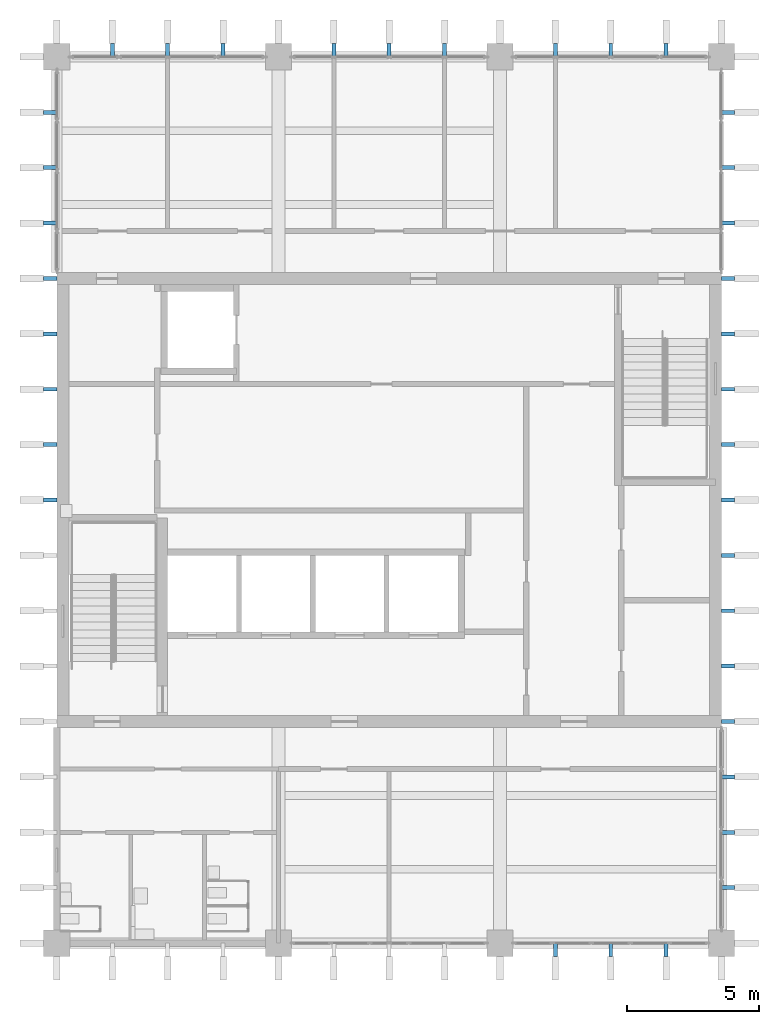
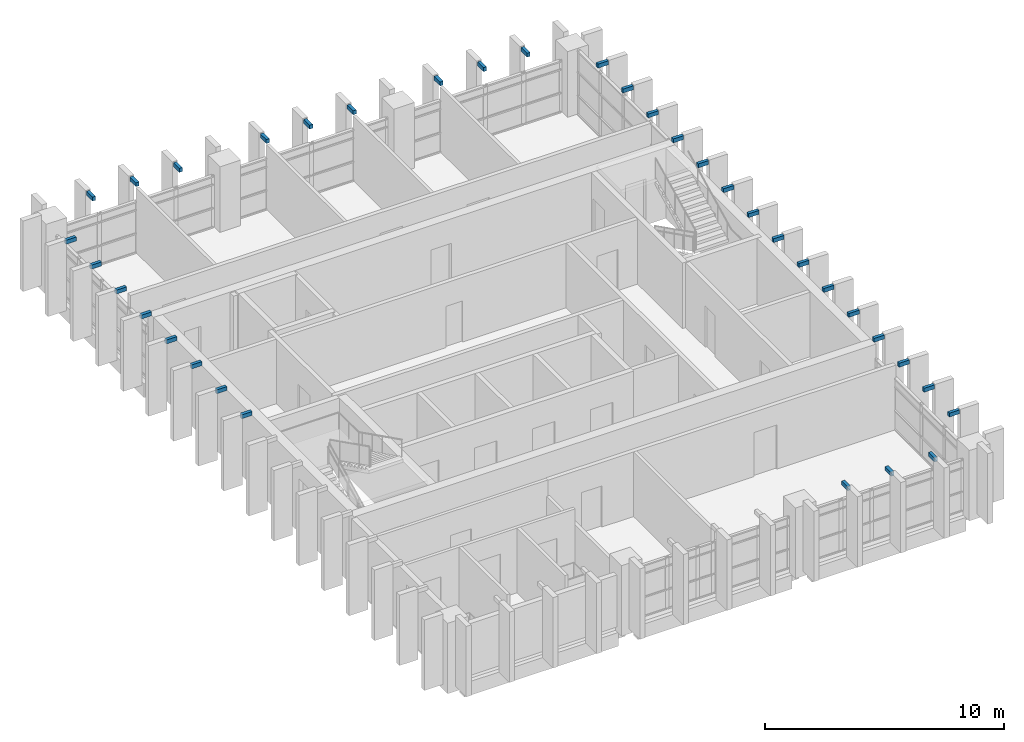
# One storey, part 9 of 11: 35 discrete accessories.
"""IFC4 building model written with IfcOpenShell, lengths in metres."""

from ifc_helpers import new_model, si_unit, direction, frame, origin, origin_2d, place, context, subcontext, project, spatial, rectangle, extrude, material, type_object, element, save


model = new_model("IFC4")

# Units and contexts
model_context = context("Model", 3, precision=1e-05, world=origin(), true_north=direction((0.0, 1.0)))
body_context = subcontext(model_context, "Body", "Model", "MODEL_VIEW")
ifc_project = project(units=[si_unit("LENGTHUNIT", "METRE"), si_unit("AREAUNIT", "SQUARE_METRE"), si_unit("VOLUMEUNIT", "CUBIC_METRE"), si_unit("PLANEANGLEUNIT", "RADIAN"), si_unit("MASSUNIT", "GRAM", prefix="KILO")], contexts=[model_context])

# Site, building, storey
site_placement = place(None, origin())
site = spatial("IfcSite", under=ifc_project, at=site_placement, CompositionType="ELEMENT")
building_placement = place(site_placement, origin())
building = spatial("IfcBuilding", under=site, at=building_placement, Name="Rulbaag Community and Learning Centre", CompositionType="ELEMENT")
storey_placement = place(building_placement, frame((0.0, 0.0, 21.60009765625)))
storey = spatial("IfcBuildingStorey", under=building, at=storey_placement, Name="L05", CompositionType="ELEMENT", Elevation=21.60009765625)

# Discrete accessories
ifc_material = material(Name="Steel E350", Category="steel")
discrete_accessory_type = type_object("IfcDiscreteAccessoryType", Name="BR-FN", PredefinedType="BRACKET", material=ifc_material)
for number, where, z_axis, x_axis, name in (
    (1, (161.699951171875, 83.75, 3.35009765625), (0.0, 0.0, 1.0), (1.0, 0.0, 0.0), "Fin arm"),
    (2, (163.800048828125, 83.75, 3.35009765625), (0.0, 0.0, 1.0), (1.0, 0.0, 0.0), "Fin arm"),
    (3, (165.89990234375, 83.75, 3.35009765625), (0.0, 0.0, 1.0), (1.0, 0.0, 0.0), "Fin arm"),
    (4, (144.89990234375, 117.85009765625, 3.35009765625), (0.0, 0.0, 1.0), (1.0, 0.0, 0.0), "Fin arm"),
    (5, (147.0, 117.85009765625, 3.35009765625), (0.0, 0.0, 1.0), (1.0, 0.0, 0.0), "Fin arm"),
    (6, (149.10009765625, 117.85009765625, 3.35009765625), (0.0, 0.0, 1.0), (1.0, 0.0, 0.0), "Fin arm"),
    (7, (153.300048828125, 117.85009765625, 3.35009765625), (0.0, 0.0, 1.0), (1.0, 0.0, 0.0), "Fin arm"),
    (8, (155.39990234375, 117.85009765625, 3.35009765625), (0.0, 0.0, 1.0), (1.0, 0.0, 0.0), "Fin arm"),
    (9, (157.5, 117.85009765625, 3.35009765625), (0.0, 0.0, 1.0), (1.0, 0.0, 0.0), "Fin arm"),
    (10, (161.699951171875, 117.85009765625, 3.35009765625), (0.0, 0.0, 1.0), (1.0, 0.0, 0.0), "Fin arm"),
    (11, (163.800048828125, 117.85009765625, 3.35009765625), (0.0, 0.0, 1.0), (1.0, 0.0, 0.0), "Fin arm"),
    (12, (165.89990234375, 117.85009765625, 3.35009765625), (0.0, 0.0, 1.0), (1.0, 0.0, 0.0), "Fin arm"),
):
    element("IfcDiscreteAccessory", number, at=place(storey_placement, frame(where, z_axis=z_axis, x_axis=x_axis)), inside=storey, type_object=discrete_accessory_type, Name=name, PredefinedType="BRACKET", context=body_context, shape_type="SweptSolid", body=[
        extrude(rectangle(XDim=0.14990234375, YDim=0.5, at=origin_2d()), origin(), (0.0, 0.0, 1.0), 0.199951171875),
    ])
for number, where, z_axis, x_axis, name in (
    (13, (142.550048828125, 100.800048828125, 3.35009765625), (0.0, 0.0, 1.0), (1.0, 0.0, 0.0), "Fin arm"),
    (14, (142.550048828125, 102.89990234375, 3.35009765625), (0.0, 0.0, 1.0), (1.0, 0.0, 0.0), "Fin arm"),
    (15, (142.550048828125, 105.0, 3.35009765625), (0.0, 0.0, 1.0), (1.0, 0.0, 0.0), "Fin arm"),
    (16, (142.550048828125, 107.10009765625, 3.35009765625), (0.0, 0.0, 1.0), (1.0, 0.0, 0.0), "Fin arm"),
    (17, (142.550048828125, 109.199951171875, 3.35009765625), (0.0, 0.0, 1.0), (1.0, 0.0, 0.0), "Fin arm"),
    (18, (142.550048828125, 111.300048828125, 3.35009765625), (0.0, 0.0, 1.0), (1.0, 0.0, 0.0), "Fin arm"),
    (19, (142.550048828125, 113.39990234375, 3.35009765625), (0.0, 0.0, 1.0), (1.0, 0.0, 0.0), "Fin arm"),
    (20, (142.550048828125, 115.5, 3.35009765625), (0.0, 0.0, 1.0), (1.0, 0.0, 0.0), "Fin arm"),
    (21, (168.25, 86.10009765625, 3.35009765625), (0.0, 0.0, 1.0), (1.0, 0.0, 0.0), "Fin arm"),
    (22, (168.25, 88.199951171875, 3.35009765625), (0.0, 0.0, 1.0), (1.0, 0.0, 0.0), "Fin arm"),
    (23, (168.25, 90.300048828125, 3.35009765625), (0.0, 0.0, 1.0), (1.0, 0.0, 0.0), "Fin arm"),
    (24, (168.25, 92.39990234375, 3.35009765625), (0.0, 0.0, 1.0), (1.0, 0.0, 0.0), "Fin arm"),
    (25, (168.25, 94.5, 3.35009765625), (0.0, 0.0, 1.0), (1.0, 0.0, 0.0), "Fin arm"),
    (26, (168.25, 96.60009765625, 3.35009765625), (0.0, 0.0, 1.0), (1.0, 0.0, 0.0), "Fin arm"),
    (27, (168.25, 98.699951171875, 3.35009765625), (0.0, 0.0, 1.0), (1.0, 0.0, 0.0), "Fin arm"),
    (28, (168.25, 100.800048828125, 3.35009765625), (0.0, 0.0, 1.0), (1.0, 0.0, 0.0), "Fin arm"),
    (29, (168.25, 102.89990234375, 3.35009765625), (0.0, 0.0, 1.0), (1.0, 0.0, 0.0), "Fin arm"),
    (30, (168.25, 105.0, 3.35009765625), (0.0, 0.0, 1.0), (1.0, 0.0, 0.0), "Fin arm"),
    (31, (168.25, 107.10009765625, 3.35009765625), (0.0, 0.0, 1.0), (1.0, 0.0, 0.0), "Fin arm"),
    (32, (168.25, 109.199951171875, 3.35009765625), (0.0, 0.0, 1.0), (1.0, 0.0, 0.0), "Fin arm"),
    (33, (168.25, 111.300048828125, 3.35009765625), (0.0, 0.0, 1.0), (1.0, 0.0, 0.0), "Fin arm"),
    (34, (168.25, 113.39990234375, 3.35009765625), (0.0, 0.0, 1.0), (1.0, 0.0, 0.0), "Fin arm"),
    (35, (168.25, 115.5, 3.35009765625), (0.0, 0.0, 1.0), (1.0, 0.0, 0.0), "Fin arm"),
):
    element("IfcDiscreteAccessory", number, at=place(storey_placement, frame(where, z_axis=z_axis, x_axis=x_axis)), inside=storey, type_object=discrete_accessory_type, Name=name, PredefinedType="BRACKET", context=body_context, shape_type="SweptSolid", body=[
        extrude(rectangle(XDim=0.5, YDim=0.14990234375, at=origin_2d()), origin(), (0.0, 0.0, 1.0), 0.199951171875),
    ])

save(model, "model.ifc")
